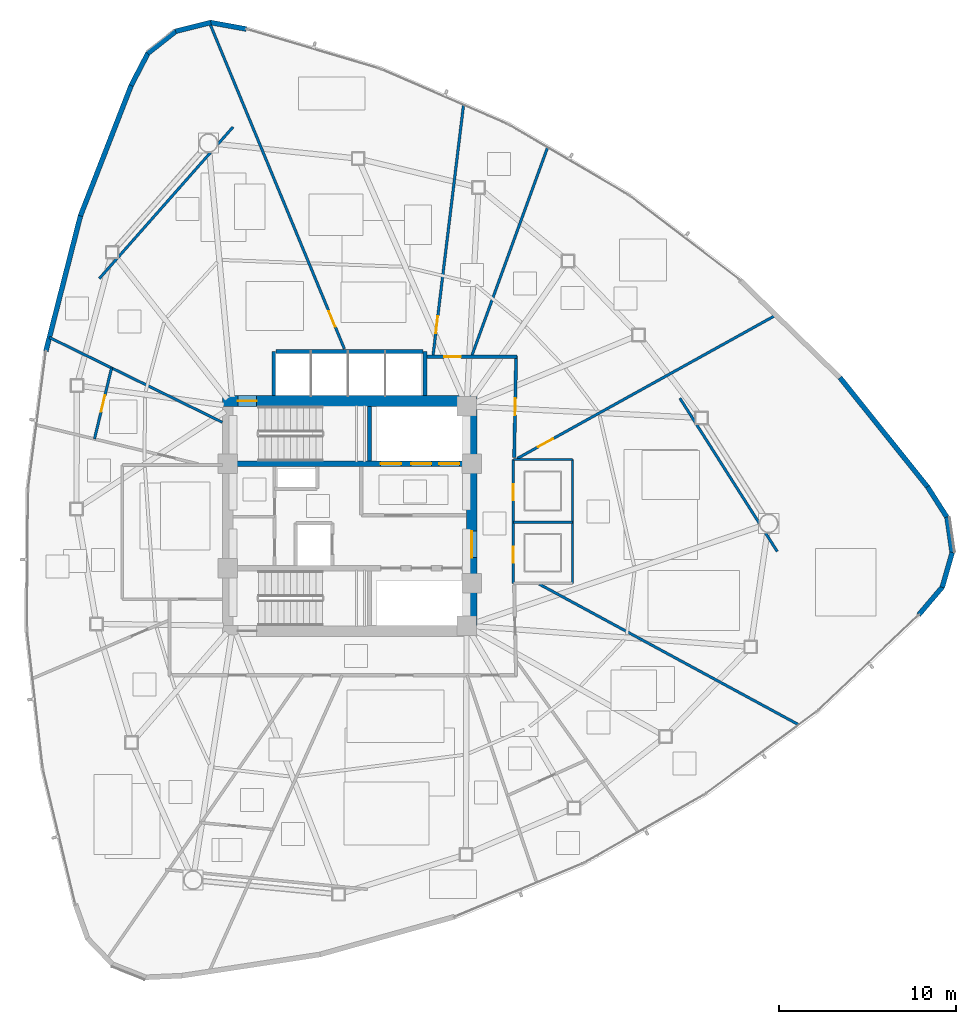
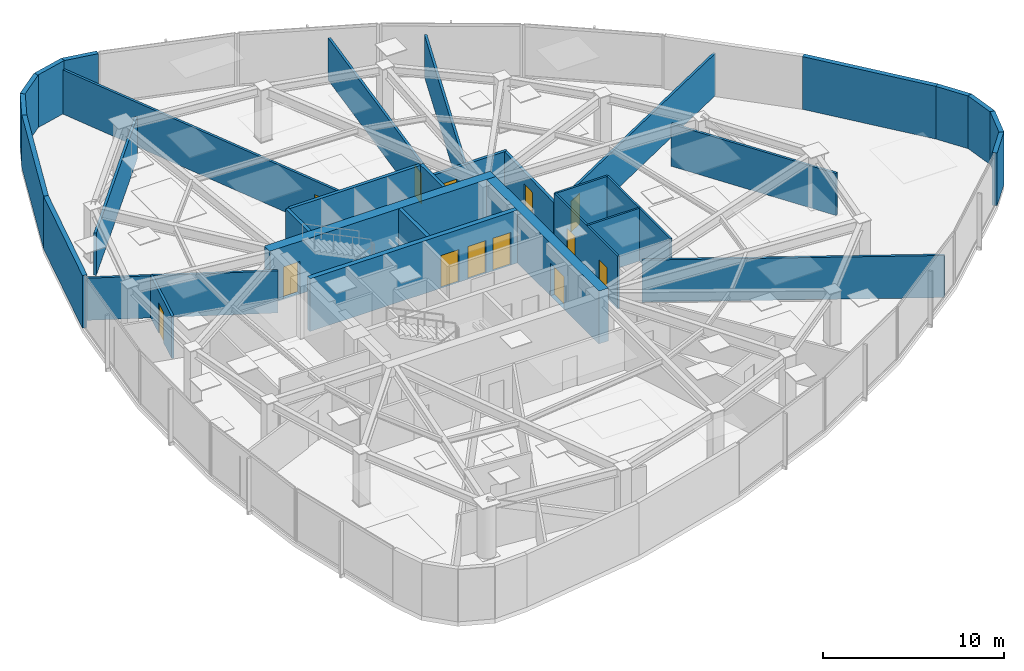
# One storey, part 12 of 17: 33 walls, 13 doors, 13 openings.
"""IFC4 building model written with IfcOpenShell, lengths in metres."""

from ifc_helpers import new_model, si_unit, direction, frame, frame_2d, origin, place, context, subcontext, project, spatial, rectangle, extrude, material, layer, layer_set, type_object, element, fill, save


model = new_model("IFC4")

# Units and contexts
model_context = context("Model", 3, precision=1e-05, world=origin(), true_north=direction((0.0, 1.0)))
body_context = subcontext(model_context, "Body", "Model", "MODEL_VIEW")
ifc_project = project(units=[si_unit("LENGTHUNIT", "METRE"), si_unit("AREAUNIT", "SQUARE_METRE"), si_unit("VOLUMEUNIT", "CUBIC_METRE"), si_unit("PLANEANGLEUNIT", "RADIAN"), si_unit("MASSUNIT", "GRAM", prefix="KILO")], contexts=[model_context])

# Site, building, storey
site_placement = place(None, origin())
site = spatial("IfcSite", under=ifc_project, at=site_placement, CompositionType="ELEMENT")
building_placement = place(site_placement, origin())
building = spatial("IfcBuilding", under=site, at=building_placement, Name="Tavelor Broadcast Tower", CompositionType="ELEMENT")
storey_placement = place(building_placement, frame((0.0, 0.0, 142.550048828125)))
storey = spatial("IfcBuildingStorey", under=building, at=storey_placement, Name="L33", CompositionType="ELEMENT", Elevation=142.550048828125)

# Wall, opening, door
ifc_material_1 = material(Name="Concrete C60/75", Category="concrete")
ifc_layer_1 = layer(ifc_material_1, 0.60009765625)
ifc_layer_set_1 = layer_set([ifc_layer_1], Name="Concrete C60/75")
wall_type_1 = type_object("IfcWallType", Name="Core Shear Wall 600 mm", PredefinedType="SHEAR", material=ifc_layer_set_1)
wall_1_placement = place(storey_placement, frame((42.800048828125, 51.5, 0.0), z_axis=(0.0, 0.0, 1.0), x_axis=(1.0, 0.0, 0.0)))
wall_1 = element("IfcWall", 1, at=wall_1_placement, inside=storey, type_object=wall_type_1, Name="L33 Central Core Shear Wall N", PredefinedType="SHEAR", context=body_context, shape_type="SweptSolid", body=[
    extrude(rectangle(XDim=14.39990234375, YDim=0.60009765625, at=frame_2d((7.199951171875, 0.0))), origin(), (0.0, 0.0, 1.0), 3.550048828125),
])
opening_1_placement = place(wall_1_placement, frame((0.8798828125, 0.0, 0.0)))
opening_1 = element("IfcOpeningElement", 2, at=opening_1_placement, cuts=wall_1, Name="Opening DR11", PredefinedType="OPENING", context=body_context, shape_type="SweptSolid", body=[
    extrude(rectangle(XDim=1.050048828125, YDim=2.199951171875, at=frame_2d((0.52490234375, 1.10009765625))), frame((0.0, 0.31005859375, 0.0), z_axis=(0.0, -1.0, 0.0), x_axis=(1.0, 0.0, 0.0)), (0.0, 0.0, 1.0), 0.6201171875),
])
ifc_material_2 = material(Name="Steel S355", Category="steel")
door_type_1 = type_object("IfcDoorType", Name="Stair Core Fire Escape Door 1050x2200", OperationType="NOTDEFINED", PredefinedType="DOOR", material=ifc_material_2)
door_1_placement = place(opening_1_placement, origin())
door_1 = element("IfcDoor", 3, at=door_1_placement, inside=storey, type_object=door_type_1, Name="L33 Stair ST1 Protected Exit Door", OperationType="SINGLE_SWING_LEFT", OverallHeight=2.199951171875, OverallWidth=1.050048828125, PredefinedType="DOOR", context=body_context, shape_type="SweptSolid", body=[
    extrude(rectangle(XDim=1.050048828125, YDim=2.199951171875, at=frame_2d((0.52490234375, 1.10009765625))), frame((0.0, 0.02490234375, 0.0), z_axis=(0.0, -1.0, 0.0), x_axis=(1.0, 0.0, 0.0)), (0.0, 0.0, 1.0), 0.050048828125),
])
fill(opening_1, door_1)

wall_2_placement = place(storey_placement, frame((56.89990234375, 38.800048828125, 0.0), z_axis=(0.0, 0.0, 1.0), x_axis=(0.0, 1.0, 0.0)))
wall_2 = element("IfcWall", 4, at=wall_2_placement, inside=storey, type_object=wall_type_1, Name="L33 Central Core Shear Wall E", PredefinedType="SHEAR", context=body_context, shape_type="SweptSolid", body=[
    extrude(rectangle(XDim=12.39990234375, YDim=0.60009765625, at=frame_2d((6.199951171875, 0.0))), origin(), (0.0, 0.0, 1.0), 3.550048828125),
])
opening_2_placement = place(wall_2_placement, frame((3.85009765625, 0.0, 0.0)))
opening_2 = element("IfcOpeningElement", 5, at=opening_2_placement, cuts=wall_2, Name="Opening DR14", PredefinedType="OPENING", context=body_context, shape_type="SweptSolid", body=[
    extrude(rectangle(XDim=1.5, YDim=2.199951171875, at=frame_2d((0.75, 1.10009765625))), frame((0.0, 0.31005859375, 0.0), z_axis=(0.0, -1.0, 0.0), x_axis=(1.0, 0.0, 0.0)), (0.0, 0.0, 1.0), 0.6201171875),
])
door_type_2 = type_object("IfcDoorType", Name="Firefighting Lobby Double Fire Door 1500x2200", OperationType="NOTDEFINED", PredefinedType="DOOR", material=ifc_material_2)
door_2_placement = place(opening_2_placement, origin())
door_2 = element("IfcDoor", 6, at=door_2_placement, inside=storey, type_object=door_type_2, Name="L33 Central Core Lobby Fire Door", OperationType="SINGLE_SWING_LEFT", OverallHeight=2.199951171875, OverallWidth=1.5, PredefinedType="DOOR", context=body_context, shape_type="SweptSolid", body=[
    extrude(rectangle(XDim=1.5, YDim=2.199951171875, at=frame_2d((0.75, 1.10009765625))), frame((0.0, 0.02490234375, 0.0), z_axis=(0.0, -1.0, 0.0), x_axis=(1.0, 0.0, 0.0)), (0.0, 0.0, 1.0), 0.050048828125),
])
fill(opening_2, door_2)

# Wall, openings, doors
ifc_layer_2 = layer(ifc_material_1, 0.300048828125)
ifc_layer_set_2 = layer_set([ifc_layer_2], Name="Concrete C60/75")
wall_type_2 = type_object("IfcWallType", Name="Core Spine Shear Wall 300 mm C60", PredefinedType="SHEAR", material=ifc_layer_set_2)
wall_3_placement = place(storey_placement, frame((43.39990234375, 47.949951171875, 0.0), z_axis=(0.0, 0.0, 1.0), x_axis=(1.0, 0.0, 0.0)))
wall_3 = element("IfcWall", 7, at=wall_3_placement, inside=storey, type_object=wall_type_2, Name="L33 Central Core Shear Wall SP1", PredefinedType="SHEAR", context=body_context, shape_type="SweptSolid", body=[
    extrude(rectangle(XDim=13.2001953125, YDim=0.300048828125, at=frame_2d((6.60009765625, 0.0))), origin(), (0.0, 0.0, 1.0), 3.550048828125),
])
opening_3_placement = place(wall_3_placement, frame((8.344970703125, 0.0, 0.0)))
opening_3 = element("IfcOpeningElement", 8, at=opening_3_placement, cuts=wall_3, Name="Opening LD02", PredefinedType="OPENING", context=body_context, shape_type="SweptSolid", body=[
    extrude(rectangle(XDim=1.14990234375, YDim=2.199951171875, at=frame_2d((0.574951171875, 1.10009765625))), frame((0.0, 0.16015625, 0.0), z_axis=(0.0, -1.0, 0.0), x_axis=(1.0, 0.0, 0.0)), (0.0, 0.0, 1.0), 0.320068359375),
])
opening_4_placement = place(wall_3_placement, frame((10.06494140625, 0.0, 0.0)))
opening_4 = element("IfcOpeningElement", 9, at=opening_4_placement, cuts=wall_3, Name="Opening LD02", PredefinedType="OPENING", context=body_context, shape_type="SweptSolid", body=[
    extrude(rectangle(XDim=1.14990234375, YDim=2.199951171875, at=frame_2d((0.574951171875, 1.10009765625))), frame((0.0, 0.16015625, 0.0), z_axis=(0.0, -1.0, 0.0), x_axis=(1.0, 0.0, 0.0)), (0.0, 0.0, 1.0), 0.320068359375),
])
opening_5_placement = place(wall_3_placement, frame((11.64501953125, 0.0, 0.0)))
opening_5 = element("IfcOpeningElement", 10, at=opening_5_placement, cuts=wall_3, Name="Opening LD03", PredefinedType="OPENING", context=body_context, shape_type="SweptSolid", body=[
    extrude(rectangle(XDim=1.14990234375, YDim=2.199951171875, at=frame_2d((0.574951171875, 1.10009765625))), frame((0.0, 0.16015625, 0.0), z_axis=(0.0, -1.0, 0.0), x_axis=(1.0, 0.0, 0.0)), (0.0, 0.0, 1.0), 0.320068359375),
])
ifc_material_3 = material(Name="Reinforced Brushed Stainless Steel", Category="concrete")
door_type_3 = type_object("IfcDoorType", Name="Broadcast Goods Lift Sliding Landing Door 1250x2200", OperationType="NOTDEFINED", PredefinedType="DOOR", material=ifc_material_3)
door_3_placement = place(opening_5_placement, origin())
door_3 = element("IfcDoor", 11, at=door_3_placement, inside=storey, type_object=door_type_3, Name="L33 Lift SVL1 Sliding Landing Door", OperationType="SLIDING_TO_LEFT", OverallHeight=2.199951171875, OverallWidth=1.14990234375, PredefinedType="DOOR", context=body_context, shape_type="SweptSolid", body=[
    extrude(rectangle(XDim=1.14990234375, YDim=2.199951171875, at=frame_2d((0.574951171875, 1.10009765625))), frame((0.0, 0.02490234375, 0.0), z_axis=(0.0, -1.0, 0.0), x_axis=(1.0, 0.0, 0.0)), (0.0, 0.0, 1.0), 0.050048828125),
])
fill(opening_5, door_3)
ifc_material_4 = material(Name="Fire-Rated Stainless Steel", Category="steel")
door_type_4 = type_object("IfcDoorType", Name="Firefighting Lift Sliding Landing Door 1200x2200", OperationType="NOTDEFINED", PredefinedType="DOOR", material=ifc_material_4)
door_4_placement = place(opening_3_placement, origin())
door_4 = element("IfcDoor", 12, at=door_4_placement, inside=storey, type_object=door_type_4, Name="L33 Lift FFL1 Sliding Landing Door", OperationType="SLIDING_TO_LEFT", OverallHeight=2.199951171875, OverallWidth=1.14990234375, PredefinedType="DOOR", context=body_context, shape_type="SweptSolid", body=[
    extrude(rectangle(XDim=1.14990234375, YDim=2.199951171875, at=frame_2d((0.574951171875, 1.10009765625))), frame((0.0, 0.02490234375, 0.0), z_axis=(0.0, -1.0, 0.0), x_axis=(1.0, 0.0, 0.0)), (0.0, 0.0, 1.0), 0.050048828125),
])
fill(opening_3, door_4)
door_5_placement = place(opening_4_placement, origin())
door_5 = element("IfcDoor", 13, at=door_5_placement, inside=storey, type_object=door_type_4, Name="L33 Lift FFL2 Sliding Landing Door", OperationType="SLIDING_TO_LEFT", OverallHeight=2.199951171875, OverallWidth=1.14990234375, PredefinedType="DOOR", context=body_context, shape_type="SweptSolid", body=[
    extrude(rectangle(XDim=1.14990234375, YDim=2.199951171875, at=frame_2d((0.574951171875, 1.10009765625))), frame((0.0, 0.02490234375, 0.0), z_axis=(0.0, -1.0, 0.0), x_axis=(1.0, 0.0, 0.0)), (0.0, 0.0, 1.0), 0.050048828125),
])
fill(opening_4, door_5)

# Wall, opening, door
ifc_material_5 = material(Name="Calcium Silicate Fire Board 180 mm", Category="gypsum")
ifc_layer_3 = layer(ifc_material_5, 0.179931640625)
ifc_layer_set_3 = layer_set([ifc_layer_3], Name="Calcium Silicate Fire Board 180 mm")
wall_type_3 = type_object("IfcWallType", Name="Fire-Rated Corridor Partition Wall 180 mm", PredefinedType="PARTITIONING", material=ifc_layer_set_3)
wall_4_placement = place(storey_placement, frame((54.300048828125, 54.0, 0.0), z_axis=(0.0, 0.0, 1.0), x_axis=(1.0, 0.0, 0.0)))
wall_4 = element("IfcWall", 14, at=wall_4_placement, inside=storey, type_object=wall_type_3, Name="L33 Corridor Compartment Wall 01", PredefinedType="PARTITIONING", context=body_context, shape_type="SweptSolid", body=[
    extrude(rectangle(XDim=5.14990234375, YDim=0.179931640625, at=frame_2d((2.574951171875, 0.0))), origin(), (0.0, 0.0, 1.0), 2.8349609375),
])
opening_6_placement = place(wall_4_placement, frame((1.03271484375, 0.0, 0.0)))
opening_6 = element("IfcOpeningElement", 15, at=opening_6_placement, cuts=wall_4, Name="Opening DR18", PredefinedType="OPENING", context=body_context, shape_type="SweptSolid", body=[
    extrude(rectangle(XDim=0.949951171875, YDim=2.050048828125, at=frame_2d((0.47509765625, 1.02490234375))), frame((0.0, 0.10009765625, 0.0), z_axis=(0.0, -1.0, 0.0), x_axis=(1.0, 0.0, 0.0)), (0.0, 0.0, 1.0), 0.199951171875),
])
ifc_material_6 = material(Name="Timber Solid Core Hardwood", Category="wood")
door_type_5 = type_object("IfcDoorType", Name="Corridor Rated Compartment Door 950x2050", OperationType="NOTDEFINED", PredefinedType="DOOR", material=ifc_material_6)
door_6_placement = place(opening_6_placement, origin())
door_6 = element("IfcDoor", 16, at=door_6_placement, inside=storey, type_object=door_type_5, Name="L33 Executive Reading Study Door R11", OperationType="SINGLE_SWING_RIGHT", OverallHeight=2.050048828125, OverallWidth=0.949951171875, PredefinedType="DOOR", context=body_context, shape_type="SweptSolid", body=[
    extrude(rectangle(XDim=0.949951171875, YDim=2.050048828125, at=frame_2d((0.47509765625, 1.02490234375))), frame((0.0, 0.02490234375, 0.0), z_axis=(0.0, -1.0, 0.0), x_axis=(1.0, 0.0, 0.0)), (0.0, 0.0, 1.0), 0.050048828125),
])
fill(opening_6, door_6)

wall_5_placement = place(storey_placement, frame((59.40087890625, 54.050048828125, 0.0), z_axis=(0.0, 0.0, 1.0), x_axis=(-0.019103170983, -0.999817517779, 0.0)))
wall_5 = element("IfcWall", 17, at=wall_5_placement, inside=storey, type_object=wall_type_3, Name="L33 Corridor Compartment Wall 02", PredefinedType="PARTITIONING", context=body_context, shape_type="SweptSolid", body=[
    extrude(rectangle(XDim=5.7509765625, YDim=0.179931640625, at=frame_2d((2.87548828125, 0.0))), origin(), (0.0, 0.0, 1.0), 2.8349609375),
])
opening_7_placement = place(wall_5_placement, frame((2.400390625, 0.0, 0.0)))
opening_7 = element("IfcOpeningElement", 18, at=opening_7_placement, cuts=wall_5, Name="Opening DR18", PredefinedType="OPENING", context=body_context, shape_type="SweptSolid", body=[
    extrude(rectangle(XDim=0.949951171875, YDim=2.050048828125, at=frame_2d((0.47509765625, 1.02490234375))), frame((0.0, 0.10009765625, 0.0), z_axis=(0.0, -1.0, 0.0), x_axis=(1.0, 0.0, 0.0)), (0.0, 0.0, 1.0), 0.199951171875),
])
door_7_placement = place(opening_7_placement, origin())
door_7 = element("IfcDoor", 19, at=door_7_placement, inside=storey, type_object=door_type_5, Name="L33 Colour Grading Studio Door R12", OperationType="SINGLE_SWING_LEFT", OverallHeight=2.050048828125, OverallWidth=0.949951171875, PredefinedType="DOOR", context=body_context, shape_type="SweptSolid", body=[
    extrude(rectangle(XDim=0.949951171875, YDim=2.050048828125, at=frame_2d((0.47509765625, 1.02490234375))), frame((0.0, 0.02490234375, 0.0), z_axis=(0.0, -1.0, 0.0), x_axis=(1.0, 0.0, 0.0)), (0.0, 0.0, 1.0), 0.050048828125),
])
fill(opening_7, door_7)

# Walls
ifc_material_7 = material(Name="Precast Concrete C40/50", Category="concrete")
ifc_layer_4 = layer(ifc_material_7, 0.280029296875)
ifc_layer_set_4 = layer_set([ifc_layer_4], Name="Precast Concrete C40/50")
wall_type_4 = type_object("IfcWallType", Name="Insulated Precast Terracotta Facade Wall 280 mm", PredefinedType="STANDARD", material=ifc_layer_set_4)
wall_6_placement = place(storey_placement, frame((44.147705078125, 72.526611328125, 0.0), z_axis=(0.0, 0.0, 1.0), x_axis=(-0.983718015473, 0.179718852749, 0.0)))
element("IfcWall", 20, at=wall_6_placement, inside=storey, type_object=wall_type_4, Name="L33 Rounded Corner Structural Cladding Pier 01", PredefinedType="STANDARD", context=body_context, shape_type="SweptSolid", body=[
    extrude(rectangle(XDim=2.062255859375, YDim=0.280029296875, at=frame_2d((1.03125, 0.0))), origin(), (0.0, 0.0, 1.0), 3.550048828125),
])
wall_7_placement = place(storey_placement, frame((42.148681640625, 72.89794921875, 0.0), z_axis=(0.0, 0.0, 1.0), x_axis=(-0.970526497726, -0.240994433983, 0.0)))
element("IfcWall", 21, at=wall_7_placement, inside=storey, type_object=wall_type_4, Name="L33 Rounded Corner Structural Cladding Pier 02", PredefinedType="STANDARD", context=body_context, shape_type="SweptSolid", body=[
    extrude(rectangle(XDim=2.050537109375, YDim=0.280029296875, at=frame_2d((1.025390625, 0.0))), origin(), (0.0, 0.0, 1.0), 3.550048828125),
])
wall_8_placement = place(storey_placement, frame((40.18505859375, 72.416748046875, 0.0), z_axis=(0.0, 0.0, 1.0), x_axis=(-0.785263599061, -0.619161594408, 0.0)))
element("IfcWall", 22, at=wall_8_placement, inside=storey, type_object=wall_type_4, Name="L33 Rounded Corner Structural Cladding Pier 03", PredefinedType="STANDARD", context=body_context, shape_type="SweptSolid", body=[
    extrude(rectangle(XDim=2.05029296875, YDim=0.280029296875, at=frame_2d((1.025146484375, 0.0))), origin(), (0.0, 0.0, 1.0), 3.550048828125),
])
wall_9_placement = place(storey_placement, frame((38.59375, 71.169921875, 0.0), z_axis=(0.0, 0.0, 1.0), x_axis=(-0.461011510966, -0.887394155242, 0.0)))
element("IfcWall", 23, at=wall_9_placement, inside=storey, type_object=wall_type_4, Name="L33 Rounded Corner Structural Cladding Pier 04", PredefinedType="STANDARD", context=body_context, shape_type="SweptSolid", body=[
    extrude(rectangle(XDim=2.07275390625, YDim=0.280029296875, at=frame_2d((1.036376953125, 0.0))), origin(), (0.0, 0.0, 1.0), 3.550048828125),
])
wall_10_placement = place(storey_placement, frame((37.650390625, 69.357666015625, 0.0), z_axis=(0.0, 0.0, 1.0), x_axis=(-0.362859078955, -0.931844026015, 0.0)))
element("IfcWall", 24, at=wall_10_placement, inside=storey, type_object=wall_type_4, Name="L33 Rounded Corner Structural Cladding Pier 05", PredefinedType="STANDARD", context=body_context, shape_type="SweptSolid", body=[
    extrude(rectangle(XDim=7.933349609375, YDim=0.280029296875, at=frame_2d((3.966796875, 0.0))), origin(), (0.0, 0.0, 1.0), 3.550048828125),
])
wall_11_placement = place(storey_placement, frame((34.781005859375, 61.99365234375, 0.0), z_axis=(0.0, 0.0, 1.0), x_axis=(-0.247456503444, -0.968899003459, 0.0)))
element("IfcWall", 25, at=wall_11_placement, inside=storey, type_object=wall_type_4, Name="L33 Rounded Corner Structural Cladding Pier 06", PredefinedType="STANDARD", context=body_context, shape_type="SweptSolid", body=[
    extrude(rectangle(XDim=7.92138671875, YDim=0.280029296875, at=frame_2d((3.960693359375, 0.0))), origin(), (0.0, 0.0, 1.0), 3.550048828125),
])
wall_12_placement = place(storey_placement, frame((82.1650390625, 39.422607421875, 0.0), z_axis=(0.0, 0.0, 1.0), x_axis=(0.647411245024, 0.762140853003, 0.0)))
element("IfcWall", 26, at=wall_12_placement, inside=storey, type_object=wall_type_4, Name="L33 Rounded Corner Structural Cladding Pier 21", PredefinedType="STANDARD", context=body_context, shape_type="SweptSolid", body=[
    extrude(rectangle(XDim=2.06201171875, YDim=0.280029296875, at=frame_2d((1.031005859375, 0.0))), origin(), (0.0, 0.0, 1.0), 3.550048828125),
])
for number, where, z_axis, x_axis, name in (
    (27, (83.486083984375, 40.96826171875, 0.0), (0.0, 0.0, 1.0), (0.276482013718, 0.961019092469, 0.0), "L33 Rounded Corner Structural Cladding Pier 22"),
    (28, (84.051025390625, 42.909423828125, 0.0), (0.0, 0.0, 1.0), (-0.143604853764, 0.989635107489, 0.0), "L33 Rounded Corner Structural Cladding Pier 23"),
):
    element("IfcWall", number, at=place(storey_placement, frame(where, z_axis=z_axis, x_axis=x_axis)), inside=storey, type_object=wall_type_4, Name=name, PredefinedType="STANDARD", context=body_context, shape_type="SweptSolid", body=[
        extrude(rectangle(XDim=2.05029296875, YDim=0.280029296875, at=frame_2d((1.025146484375, 0.0))), origin(), (0.0, 0.0, 1.0), 3.550048828125),
    ])
wall_13_placement = place(storey_placement, frame((83.766845703125, 44.910888671875, 0.0), z_axis=(0.0, 0.0, 1.0), x_axis=(-0.538010525696, 0.842938120054, 0.0)))
element("IfcWall", 29, at=wall_13_placement, inside=storey, type_object=wall_type_4, Name="L33 Rounded Corner Structural Cladding Pier 24", PredefinedType="STANDARD", context=body_context, shape_type="SweptSolid", body=[
    extrude(rectangle(XDim=2.072998046875, YDim=0.280029296875, at=frame_2d((1.03662109375, 0.0))), origin(), (0.0, 0.0, 1.0), 3.550048828125),
])
wall_14_placement = place(storey_placement, frame((82.669189453125, 46.6337890625, 0.0), z_axis=(0.0, 0.0, 1.0), x_axis=(-0.625565326368, 0.780171790342, 0.0)))
element("IfcWall", 30, at=wall_14_placement, inside=storey, type_object=wall_type_4, Name="L33 Rounded Corner Structural Cladding Pier 25", PredefinedType="STANDARD", context=body_context, shape_type="SweptSolid", body=[
    extrude(rectangle(XDim=7.933349609375, YDim=0.280029296875, at=frame_2d((3.966796875, 0.0))), origin(), (0.0, 0.0, 1.0), 3.550048828125),
])
ifc_material_8 = material(Name="Gypsum Acoustic Plasterboard 150 mm", Category="gypsum")
ifc_layer_5 = layer(ifc_material_8, 0.14990234375)
ifc_layer_set_5 = layer_set([ifc_layer_5], Name="Gypsum Acoustic Plasterboard 150 mm")
wall_type_5 = type_object("IfcWallType", Name="Interior Acoustic Partition Wall 150 mm", PredefinedType="PARTITIONING", material=ifc_layer_set_5)
wall_15_placement = place(storey_placement, frame((43.399658203125, 66.988525390625, 0.0), z_axis=(0.0, 0.0, 1.0), x_axis=(-0.661622343701, -0.749837231881, 0.0)))
element("IfcWall", 31, at=wall_15_placement, inside=storey, type_object=wall_type_5, Name="L33 Corner Tube Brace Furring Wall 1", PredefinedType="PARTITIONING", context=body_context, shape_type="SweptSolid", body=[
    extrude(rectangle(XDim=11.42724609375, YDim=0.14990234375, at=frame_2d((5.713623046875, 0.0))), origin(), (0.0, 0.0, 1.0), 2.8349609375),
])
wall_16_placement = place(storey_placement, frame((74.16259765625, 42.9931640625, 0.0), z_axis=(0.0, 0.0, 1.0), x_axis=(-0.53628142437, 0.844039237166, 0.0)))
element("IfcWall", 32, at=wall_16_placement, inside=storey, type_object=wall_type_5, Name="L33 Corner Tube Brace Furring Wall 3", PredefinedType="PARTITIONING", context=body_context, shape_type="SweptSolid", body=[
    extrude(rectangle(XDim=10.266845703125, YDim=0.14990234375, at=frame_2d((5.13330078125, 0.0))), origin(), (0.0, 0.0, 1.0), 2.8349609375),
])

# Wall, opening, door
wall_17_placement = place(storey_placement, frame((59.463134765625, 48.25, 0.0), z_axis=(0.0, 0.0, 1.0), x_axis=(0.874620123613, 0.484808868907, 0.0)))
wall_17 = element("IfcWall", 33, at=wall_17_placement, inside=storey, type_object=wall_type_5, Name="L33 Radial Compartment Wall 01", PredefinedType="PARTITIONING", context=body_context, shape_type="SweptSolid", body=[
    extrude(rectangle(XDim=16.73046875, YDim=0.14990234375, at=frame_2d((8.365234375, 0.0))), origin(), (0.0, 0.0, 1.0), 2.8349609375),
])
opening_8_placement = place(wall_17_placement, frame((1.35009765625, 0.0, 0.0)))
opening_8 = element("IfcOpeningElement", 34, at=opening_8_placement, cuts=wall_17, Name="Opening DR18", PredefinedType="OPENING", context=body_context, shape_type="SweptSolid", body=[
    extrude(rectangle(XDim=0.949951171875, YDim=2.050048828125, at=frame_2d((0.47509765625, 1.02490234375))), frame((0.0, 0.0849609375, 0.0), z_axis=(0.0, -1.0, 0.0), x_axis=(1.0, 0.0, 0.0)), (0.0, 0.0, 1.0), 0.169921875),
])
door_8_placement = place(opening_8_placement, origin())
door_8 = element("IfcDoor", 35, at=door_8_placement, inside=storey, type_object=door_type_5, Name="L33 Suite Connecting Door 0", OperationType="SINGLE_SWING_RIGHT", OverallHeight=2.050048828125, OverallWidth=0.949951171875, PredefinedType="DOOR", context=body_context, shape_type="SweptSolid", body=[
    extrude(rectangle(XDim=0.949951171875, YDim=2.050048828125, at=frame_2d((0.47509765625, 1.02490234375))), frame((0.0, 0.02490234375, 0.0), z_axis=(0.0, -1.0, 0.0), x_axis=(1.0, 0.0, 0.0)), (0.0, 0.0, 1.0), 0.050048828125),
])
fill(opening_8, door_8)

# Wall
wall_18_placement = place(storey_placement, frame((56.8740234375, 54.0, 0.0), z_axis=(0.0, 0.0, 1.0), x_axis=(0.341856605607, 0.939752127533, 0.0)))
element("IfcWall", 36, at=wall_18_placement, inside=storey, type_object=wall_type_5, Name="L33 Radial Compartment Wall 02", PredefinedType="PARTITIONING", context=body_context, shape_type="SweptSolid", body=[
    extrude(rectangle(XDim=12.602783203125, YDim=0.14990234375, at=frame_2d((6.30126953125, 0.0))), origin(), (0.0, 0.0, 1.0), 2.8349609375),
])

# Wall, opening, door
wall_19_placement = place(storey_placement, frame((54.695556640625, 54.0, 0.0), z_axis=(0.0, 0.0, 1.0), x_axis=(0.12084094636, 0.992671882186, 0.0)))
wall_19 = element("IfcWall", 37, at=wall_19_placement, inside=storey, type_object=wall_type_5, Name="L33 Radial Compartment Wall 03", PredefinedType="PARTITIONING", context=body_context, shape_type="SweptSolid", body=[
    extrude(rectangle(XDim=14.3505859375, YDim=0.14990234375, at=frame_2d((7.17529296875, 0.0))), origin(), (0.0, 0.0, 1.0), 2.8349609375),
])
opening_9_placement = place(wall_19_placement, frame((1.35009765625, 0.0, 0.0)))
opening_9 = element("IfcOpeningElement", 38, at=opening_9_placement, cuts=wall_19, Name="Opening DR18", PredefinedType="OPENING", context=body_context, shape_type="SweptSolid", body=[
    extrude(rectangle(XDim=0.949951171875, YDim=2.050048828125, at=frame_2d((0.47509765625, 1.02490234375))), frame((0.0, 0.0849609375, 0.0), z_axis=(0.0, -1.0, 0.0), x_axis=(1.0, 0.0, 0.0)), (0.0, 0.0, 1.0), 0.169921875),
])
door_9_placement = place(opening_9_placement, origin())
door_9 = element("IfcDoor", 39, at=door_9_placement, inside=storey, type_object=door_type_5, Name="L33 Suite Connecting Door 10", OperationType="SINGLE_SWING_LEFT", OverallHeight=2.050048828125, OverallWidth=0.949951171875, PredefinedType="DOOR", context=body_context, shape_type="SweptSolid", body=[
    extrude(rectangle(XDim=0.949951171875, YDim=2.050048828125, at=frame_2d((0.47509765625, 1.02490234375))), frame((0.0, 0.02490234375, 0.0), z_axis=(0.0, -1.0, 0.0), x_axis=(1.0, 0.0, 0.0)), (0.0, 0.0, 1.0), 0.050048828125),
])
fill(opening_9, door_9)

wall_20_placement = place(storey_placement, frame((49.692138671875, 54.449951171875, 0.0), z_axis=(0.0, 0.0, 1.0), x_axis=(-0.382143919356, 0.924102821605, 0.0)))
wall_20 = element("IfcWall", 40, at=wall_20_placement, inside=storey, type_object=wall_type_5, Name="L33 Radial Compartment Wall 04", PredefinedType="PARTITIONING", context=body_context, shape_type="SweptSolid", body=[
    extrude(rectangle(XDim=19.95263671875, YDim=0.14990234375, at=frame_2d((9.976318359375, 0.0))), origin(), (0.0, 0.0, 1.0), 2.974853515625),
])
opening_10_placement = place(wall_20_placement, frame((1.35009765625, 0.0, 0.0)))
opening_10 = element("IfcOpeningElement", 41, at=opening_10_placement, cuts=wall_20, Name="Opening DR18", PredefinedType="OPENING", context=body_context, shape_type="SweptSolid", body=[
    extrude(rectangle(XDim=0.949951171875, YDim=2.050048828125, at=frame_2d((0.47509765625, 1.02490234375))), frame((0.0, 0.0849609375, 0.0), z_axis=(0.0, -1.0, 0.0), x_axis=(1.0, 0.0, 0.0)), (0.0, 0.0, 1.0), 0.169921875),
])
door_10_placement = place(opening_10_placement, origin())
door_10 = element("IfcDoor", 42, at=door_10_placement, inside=storey, type_object=door_type_5, Name="L33 Suite Connecting Door 9", OperationType="SINGLE_SWING_RIGHT", OverallHeight=2.050048828125, OverallWidth=0.949951171875, PredefinedType="DOOR", context=body_context, shape_type="SweptSolid", body=[
    extrude(rectangle(XDim=0.949951171875, YDim=2.050048828125, at=frame_2d((0.47509765625, 1.02490234375))), frame((0.0, 0.02490234375, 0.0), z_axis=(0.0, -1.0, 0.0), x_axis=(1.0, 0.0, 0.0)), (0.0, 0.0, 1.0), 0.050048828125),
])
fill(opening_10, door_10)

# Walls
wall_21_placement = place(storey_placement, frame((42.800048828125, 50.29736328125, 0.0), z_axis=(0.0, 0.0, 1.0), x_axis=(-0.897822147202, 0.440358254144, 0.0)))
element("IfcWall", 43, at=wall_21_placement, inside=storey, type_object=wall_type_5, Name="L33 Radial Compartment Wall 05", PredefinedType="PARTITIONING", context=body_context, shape_type="SweptSolid", body=[
    extrude(rectangle(XDim=10.904296875, YDim=0.14990234375, at=frame_2d((5.4521484375, 0.0))), origin(), (0.0, 0.0, 1.0), 2.8349609375),
])
wall_22_placement = place(storey_placement, frame((60.70556640625, 41.14990234375, 0.0), z_axis=(0.0, 0.0, 1.0), x_axis=(0.879235813621, -0.476386800873, 0.0)))
element("IfcWall", 44, at=wall_22_placement, inside=storey, type_object=wall_type_5, Name="L33 Radial Compartment Wall 12", PredefinedType="PARTITIONING", context=body_context, shape_type="SweptSolid", body=[
    extrude(rectangle(XDim=16.692626953125, YDim=0.14990234375, at=frame_2d((8.34619140625, 0.0))), origin(), (0.0, 0.0, 1.0), 2.8349609375),
])

# Wall, opening, door
wall_23_placement = place(storey_placement, frame((36.5341796875, 53.37060546875, 0.0), z_axis=(0.0, 0.0, 1.0), x_axis=(-0.234112808505, -0.972209438801, 0.0)))
wall_23 = element("IfcWall", 45, at=wall_23_placement, inside=storey, type_object=wall_type_5, Name="L33 Suite Chord Partition Wall 01", PredefinedType="PARTITIONING", context=body_context, shape_type="SweptSolid", body=[
    extrude(rectangle(XDim=4.130615234375, YDim=0.14990234375, at=frame_2d((2.0654296875, 0.0))), origin(), (0.0, 0.0, 1.0), 2.8349609375),
])
opening_11_placement = place(wall_23_placement, frame((1.59033203125, 0.0, 0.0)))
opening_11 = element("IfcOpeningElement", 46, at=opening_11_placement, cuts=wall_23, Name="Opening DR23", PredefinedType="OPENING", context=body_context, shape_type="SweptSolid", body=[
    extrude(rectangle(XDim=0.949951171875, YDim=2.050048828125, at=frame_2d((0.47509765625, 1.02490234375))), frame((0.0, 0.0849609375, 0.0), z_axis=(0.0, -1.0, 0.0), x_axis=(1.0, 0.0, 0.0)), (0.0, 0.0, 1.0), 0.169921875),
])
door_type_6 = type_object("IfcDoorType", Name="Editorial Room Acoustic Door 950x2050", OperationType="NOTDEFINED", PredefinedType="DOOR", material=ifc_material_6)
door_11_placement = place(opening_11_placement, origin())
door_11 = element("IfcDoor", 47, at=door_11_placement, inside=storey, type_object=door_type_6, Name="L33 Outer Suite Partition Door 1", OperationType="SINGLE_SWING_LEFT", OverallHeight=2.050048828125, OverallWidth=0.949951171875, PredefinedType="DOOR", context=body_context, shape_type="SweptSolid", body=[
    extrude(rectangle(XDim=0.949951171875, YDim=2.050048828125, at=frame_2d((0.47509765625, 1.02490234375))), frame((0.0, 0.02490234375, 0.0), z_axis=(0.0, -1.0, 0.0), x_axis=(1.0, 0.0, 0.0)), (0.0, 0.0, 1.0), 0.050048828125),
])
fill(opening_11, door_11)

# Walls
ifc_material_9 = material(Name="Concrete Blockwork 200 mm", Category="masonry")
ifc_layer_6 = layer(ifc_material_9, 0.199951171875)
ifc_layer_set_6 = layer_set([ifc_layer_6], Name="Concrete Blockwork 200 mm")
wall_type_6 = type_object("IfcWallType", Name="Lift Hoistway Rated Front Wall 200 mm", PredefinedType="PARTITIONING", material=ifc_layer_set_6)
wall_24_placement = place(storey_placement, frame((45.820068359375, 54.300048828125, 0.0), z_axis=(0.0, 0.0, 1.0), x_axis=(1.0, 0.0, 0.0)))
element("IfcWall", 48, at=wall_24_placement, inside=storey, type_object=wall_type_6, Name="L33 High-Rise Lift Hoistway Front Wall", PredefinedType="PARTITIONING", context=body_context, shape_type="SweptSolid", body=[
    extrude(rectangle(XDim=8.309814453125, YDim=0.199951171875, at=frame_2d((4.15478515625, 0.0))), origin(), (0.0, 0.0, 1.0), 3.550048828125),
])
ifc_layer_7 = layer(ifc_material_9, 0.199951171875)
ifc_layer_set_7 = layer_set([ifc_layer_7], Name="Concrete Blockwork 200 mm")
wall_type_7 = type_object("IfcWallType", Name="Lift and Riser Shaft Enclosure Wall 200 mm", PredefinedType="PARTITIONING", material=ifc_layer_set_7)
for number, where, z_axis, x_axis, name in (
    (49, (45.699951171875, 51.800048828125, 0.0), (0.0, 0.0, 1.0), (0.0, 1.0, 0.0), "L33 High-Rise Lift Shaft West Wall"),
    (50, (54.25, 51.800048828125, 0.0), (0.0, 0.0, 1.0), (0.0, 1.0, 0.0), "L33 High-Rise Lift Shaft East Wall"),
):
    element("IfcWall", number, at=place(storey_placement, frame(where, z_axis=z_axis, x_axis=x_axis)), inside=storey, type_object=wall_type_7, Name=name, PredefinedType="PARTITIONING", context=body_context, shape_type="SweptSolid", body=[
        extrude(rectangle(XDim=2.5, YDim=0.199951171875, at=frame_2d((1.25, 0.0))), origin(), (0.0, 0.0, 1.0), 3.550048828125),
    ])

# Wall, openings, doors
ifc_material_10 = material(Name="Moisture-Resistant Plasterboard 120 mm", Category="gypsum")
ifc_layer_8 = layer(ifc_material_10, 0.1201171875)
ifc_layer_set_8 = layer_set([ifc_layer_8], Name="Moisture-Resistant Plasterboard 120 mm")
wall_type_8 = type_object("IfcWallType", Name="Moisture-Resistant Wet-Room Partition 120 mm", PredefinedType="PARTITIONING", material=ifc_layer_set_8)
wall_25_placement = place(storey_placement, frame((59.239990234375, 41.199951171875, 0.0), z_axis=(0.0, 0.0, 1.0), x_axis=(0.0, 1.0, 0.0)))
wall_25 = element("IfcWall", 51, at=wall_25_placement, inside=storey, type_object=wall_type_8, Name="L33 Floor Washrooms West Wall", PredefinedType="PARTITIONING", context=body_context, shape_type="SweptSolid", body=[
    extrude(rectangle(XDim=7.0, YDim=0.1201171875, at=frame_2d((3.5, 0.0))), origin(), (0.0, 0.0, 1.0), 3.550048828125),
])
opening_12_placement = place(wall_25_placement, frame((1.14990234375, 0.0, 0.0)))
opening_12 = element("IfcOpeningElement", 52, at=opening_12_placement, cuts=wall_25, Name="Opening DR32", PredefinedType="OPENING", context=body_context, shape_type="SweptSolid", body=[
    extrude(rectangle(XDim=0.89990234375, YDim=2.050048828125, at=frame_2d((0.449951171875, 1.02490234375))), frame((0.0, 0.070068359375, 0.0), z_axis=(0.0, -1.0, 0.0), x_axis=(1.0, 0.0, 0.0)), (0.0, 0.0, 1.0), 0.14013671875),
])
opening_13_placement = place(wall_25_placement, frame((4.699951171875, 0.0, 0.0)))
opening_13 = element("IfcOpeningElement", 53, at=opening_13_placement, cuts=wall_25, Name="Opening DR32", PredefinedType="OPENING", context=body_context, shape_type="SweptSolid", body=[
    extrude(rectangle(XDim=0.89990234375, YDim=2.050048828125, at=frame_2d((0.449951171875, 1.02490234375))), frame((0.0, 0.070068359375, 0.0), z_axis=(0.0, -1.0, 0.0), x_axis=(1.0, 0.0, 0.0)), (0.0, 0.0, 1.0), 0.14013671875),
])
door_type_7 = type_object("IfcDoorType", Name="Accessible Washroom Door 900x2050", OperationType="NOTDEFINED", PredefinedType="DOOR", material=ifc_material_6)
door_12_placement = place(opening_12_placement, origin())
door_12 = element("IfcDoor", 54, at=door_12_placement, inside=storey, type_object=door_type_7, Name="L33 Accessible WC Door", OperationType="SINGLE_SWING_LEFT", OverallHeight=2.050048828125, OverallWidth=0.89990234375, PredefinedType="DOOR", context=body_context, shape_type="SweptSolid", body=[
    extrude(rectangle(XDim=0.89990234375, YDim=2.050048828125, at=frame_2d((0.449951171875, 1.02490234375))), frame((0.0, 0.02490234375, 0.0), z_axis=(0.0, -1.0, 0.0), x_axis=(1.0, 0.0, 0.0)), (0.0, 0.0, 1.0), 0.050048828125),
])
fill(opening_12, door_12)
door_13_placement = place(opening_13_placement, origin())
door_13 = element("IfcDoor", 55, at=door_13_placement, inside=storey, type_object=door_type_7, Name="L33 Staff Washroom WC Door", OperationType="SINGLE_SWING_RIGHT", OverallHeight=2.050048828125, OverallWidth=0.89990234375, PredefinedType="DOOR", context=body_context, shape_type="SweptSolid", body=[
    extrude(rectangle(XDim=0.89990234375, YDim=2.050048828125, at=frame_2d((0.449951171875, 1.02490234375))), frame((0.0, 0.02490234375, 0.0), z_axis=(0.0, -1.0, 0.0), x_axis=(1.0, 0.0, 0.0)), (0.0, 0.0, 1.0), 0.050048828125),
])
fill(opening_13, door_13)

# Walls
for number, where, z_axis, x_axis, name in (
    (56, (59.239990234375, 44.64990234375, 0.0), (0.0, 0.0, 1.0), (1.0, 0.0, 0.0), "L33 Floor Washrooms Divider Wall"),
    (57, (59.239990234375, 48.199951171875, 0.0), (0.0, 0.0, 1.0), (1.0, 0.0, 0.0), "L33 Floor Washrooms North Wall"),
):
    element("IfcWall", number, at=place(storey_placement, frame(where, z_axis=z_axis, x_axis=x_axis)), inside=storey, type_object=wall_type_8, Name=name, PredefinedType="PARTITIONING", context=body_context, shape_type="SweptSolid", body=[
        extrude(rectangle(XDim=3.340087890625, YDim=0.1201171875, at=frame_2d((1.669921875, 0.0))), origin(), (0.0, 0.0, 1.0), 3.550048828125),
    ])
wall_26_placement = place(storey_placement, frame((62.580078125, 41.199951171875, 0.0), z_axis=(0.0, 0.0, 1.0), x_axis=(0.0, 1.0, 0.0)))
element("IfcWall", 58, at=wall_26_placement, inside=storey, type_object=wall_type_8, Name="L33 Floor Washrooms East Wall", PredefinedType="PARTITIONING", context=body_context, shape_type="SweptSolid", body=[
    extrude(rectangle(XDim=7.0, YDim=0.1201171875, at=frame_2d((3.5, 0.0))), origin(), (0.0, 0.0, 1.0), 3.550048828125),
])
ifc_material_11 = material(Name="Concrete C40/50", Category="concrete")
ifc_layer_9 = layer(ifc_material_11, 0.219970703125)
ifc_layer_set_9 = layer_set([ifc_layer_9], Name="Concrete C40/50")
wall_type_9 = type_object("IfcWallType", Name="Structural Stairwell Shear Wall 220 mm", PredefinedType="SHEAR", material=ifc_layer_set_9)
wall_27_placement = place(storey_placement, frame((51.110107421875, 48.10009765625, 0.0), z_axis=(0.0, 0.0, 1.0), x_axis=(0.0, 1.0, 0.0)))
element("IfcWall", 59, at=wall_27_placement, inside=storey, type_object=wall_type_9, Name="L33 Stair ST1 Structural Shaft Wall", PredefinedType="SHEAR", context=body_context, shape_type="SweptSolid", body=[
    extrude(rectangle(XDim=3.099853515625, YDim=0.219970703125, at=frame_2d((1.5498046875, 0.0))), origin(), (0.0, 0.0, 1.0), 3.550048828125),
])

save(model, "model.ifc")
